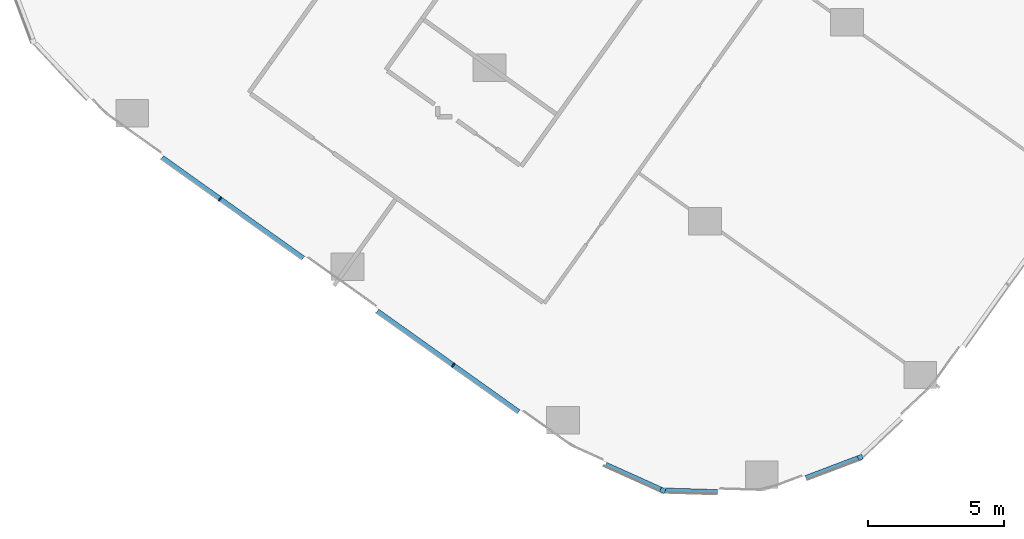
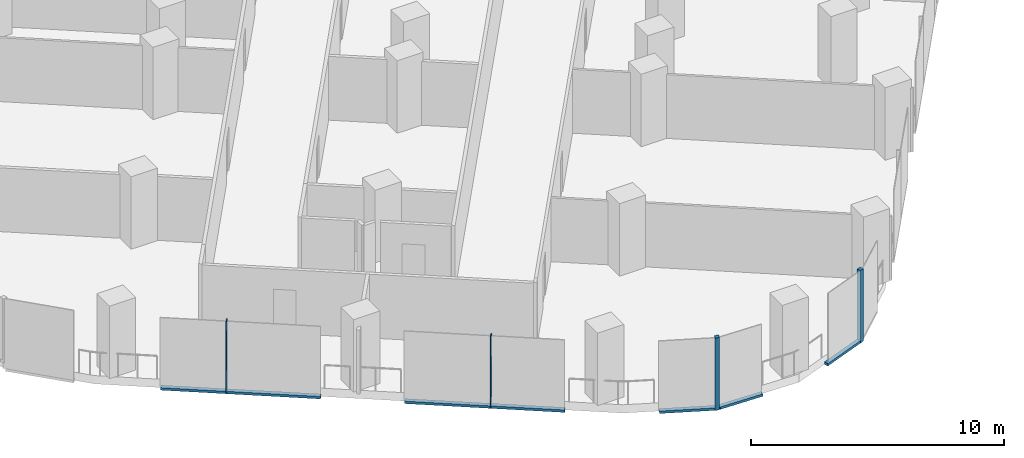
# One storey, part 2 of 30: 9 members, 4 elements without a shape of their own.
"""IFC4 building model written with IfcOpenShell, lengths in metres."""

from ifc_helpers import new_model, si_unit, direction, frame, origin, origin_2d, place, context, subcontext, project, spatial, rectangle, extrude, material, material_profile, profile_set, type_object, element, aggregate, save


model = new_model("IFC4")

# Units and contexts
model_context = context("Model", 3, precision=1e-05, world=origin(), true_north=direction((0.0, 1.0)))
body_context = subcontext(model_context, "Body", "Model", "MODEL_VIEW")
ifc_project = project(units=[si_unit("LENGTHUNIT", "METRE"), si_unit("AREAUNIT", "SQUARE_METRE"), si_unit("VOLUMEUNIT", "CUBIC_METRE"), si_unit("PLANEANGLEUNIT", "RADIAN"), si_unit("MASSUNIT", "GRAM", prefix="KILO")], contexts=[model_context])

# Site, building, storey
site_placement = place(None, origin())
site = spatial("IfcSite", under=ifc_project, at=site_placement, CompositionType="ELEMENT")
building_placement = place(site_placement, origin())
building = spatial("IfcBuilding", under=site, at=building_placement, Name="Orlundy Tower", CompositionType="ELEMENT")
storey_placement = place(building_placement, frame((0.0, 0.0, 80.699951171875)))
storey = spatial("IfcBuildingStorey", under=building, at=storey_placement, Name="L19", CompositionType="ELEMENT", Elevation=80.699951171875)

# Curtain wall, member
ifc_material_1 = material(Name="Aluminium bronze anodised", Category="aluminium")
curtain_wall_type = type_object("IfcCurtainWallType", Name="CW1 wall", PredefinedType="NOTDEFINED", material=ifc_material_1)
curtain_wall_1_placement = place(storey_placement, origin())
curtain_wall_1 = element("IfcCurtainWall", 1, at=curtain_wall_1_placement, inside=storey, type_object=curtain_wall_type, Name="CW1 run 020", PredefinedType="NOTDEFINED")
ifc_material_2 = material(Name="Aluminium bronze anodised", Category="aluminium")
ifc_material_profile_1 = material_profile(ifc_material_2, rectangle(XDim=0.179931640625, YDim=0.179931640625, at=origin_2d()), Name="CW1 corner post 180x180")
ifc_profile_set_1 = profile_set([ifc_material_profile_1], Name="Aluminium bronze anodised")
member_type_1 = type_object("IfcMemberType", Name="CW1 corner post 180x180", PredefinedType="MULLION", material=ifc_profile_set_1)
member_1_placement = place(storey_placement, frame((-15.984375, -55.751708984375, -0.39990234375), z_axis=(0.0, 0.0, 1.0), x_axis=(0.354166301715, -0.935182458523, 0.0)))
member_1 = element("IfcMember", 2, at=member_1_placement, type_object=member_type_1, Name="CW1 mullion 58", PredefinedType="MULLION", context=body_context, shape_type="SweptSolid", body=[
    extrude(rectangle(XDim=0.179931640625, YDim=0.179931640625, at=origin_2d()), origin(), (0.0, 0.0, 1.0), 3.5),
])

curtain_wall_2_placement = place(storey_placement, origin())
curtain_wall_2 = element("IfcCurtainWall", 3, at=curtain_wall_2_placement, inside=storey, type_object=curtain_wall_type, Name="CW1 run 022", PredefinedType="NOTDEFINED")
member_2_placement = place(storey_placement, frame((-23.2255859375, -56.96337890625, -0.39990234375), z_axis=(0.0, 0.0, 1.0), x_axis=(-0.410914311157, -0.911673970719, 0.0)))
member_2 = element("IfcMember", 4, at=member_2_placement, type_object=member_type_1, Name="CW1 mullion 60", PredefinedType="MULLION", context=body_context, shape_type="SweptSolid", body=[
    extrude(rectangle(XDim=0.179931640625, YDim=0.179931640625, at=origin_2d()), origin(), (0.0, 0.0, 1.0), 3.5),
])

# Curtain wall, members
curtain_wall_3_placement = place(storey_placement, origin())
curtain_wall_3 = element("IfcCurtainWall", 5, at=curtain_wall_3_placement, inside=storey, type_object=curtain_wall_type, Name="CW1 run 023", PredefinedType="NOTDEFINED")
ifc_material_3 = material(Name="Aluminium bronze anodised", Category="aluminium")
ifc_material_profile_2 = material_profile(ifc_material_3, rectangle(XDim=0.179931640625, YDim=0.050048828125, at=origin_2d()), Name="CW1 mullion 50x180")
ifc_profile_set_2 = profile_set([ifc_material_profile_2], Name="Aluminium bronze anodised")
member_type_2 = type_object("IfcMemberType", Name="CW1 mullion 50x180", PredefinedType="MULLION", material=ifc_profile_set_2)
member_3_placement = place(storey_placement, frame((-30.910400390625, -52.375732421875, -0.39990234375), z_axis=(0.0, 0.0, 1.0), x_axis=(-0.580665978686, -0.814141892545, 0.0)))
member_3 = element("IfcMember", 6, at=member_3_placement, type_object=member_type_2, Name="CW1 mullion 62", PredefinedType="MULLION", context=body_context, shape_type="SweptSolid", body=[
    extrude(rectangle(XDim=0.179931640625, YDim=0.050048828125, at=origin_2d()), origin(), (0.0, 0.0, 1.0), 3.5),
])
member_4_placement = place(storey_placement, frame((-39.458984375, -46.27880859375, -0.39990234375), z_axis=(0.0, 0.0, 1.0), x_axis=(-0.580665978686, -0.814141892545, 0.0)))
member_4 = element("IfcMember", 7, at=member_4_placement, type_object=member_type_2, Name="CW1 mullion 64", PredefinedType="MULLION", context=body_context, shape_type="SweptSolid", body=[
    extrude(rectangle(XDim=0.179931640625, YDim=0.050048828125, at=origin_2d()), origin(), (0.0, 0.0, 1.0), 3.5),
])

# Member
ifc_material_4 = material(Name="Aluminium bronze anodised", Category="aluminium")
ifc_material_profile_3 = material_profile(ifc_material_4, rectangle(XDim=0.179931640625, YDim=0.1201171875, at=origin_2d()), Name="CW1 transom 180x120")
ifc_profile_set_3 = profile_set([ifc_material_profile_3], Name="Aluminium bronze anodised")
member_type_3 = type_object("IfcMemberType", Name="CW1 transom 180x120", PredefinedType="USERDEFINED", material=ifc_profile_set_3)
member_5_placement = place(storey_placement, frame((-16.068603515625, -55.78369140625, -0.33984375), z_axis=(-0.935180427279, -0.354171665204, 0.0), x_axis=(0.354171665204, -0.935180427279, 0.0)))
member_5 = element("IfcMember", 8, at=member_5_placement, type_object=member_type_3, Name="CW1 transom", ObjectType="TRANSOM", PredefinedType="USERDEFINED", context=body_context, shape_type="SweptSolid", body=[
    extrude(rectangle(XDim=0.179931640625, YDim=0.1201171875, at=origin_2d()), origin(), (0.0, 0.0, 1.0), 2.0439453125),
])

aggregate(curtain_wall_1, [member_1, member_5])

# Curtain wall, member
curtain_wall_4_placement = place(storey_placement, origin())
curtain_wall_4 = element("IfcCurtainWall", 9, at=curtain_wall_4_placement, inside=storey, type_object=curtain_wall_type, Name="CW1 run 021", PredefinedType="NOTDEFINED")
member_6_placement = place(storey_placement, frame((-21.218017578125, -57.024658203125, -0.33984375), z_axis=(-0.999533765598, 0.030532792686, 0.0), x_axis=(-0.030532792686, -0.999533765598, 0.0)))
member_6 = element("IfcMember", 10, at=member_6_placement, type_object=member_type_3, Name="CW1 transom", ObjectType="TRANSOM", PredefinedType="USERDEFINED", context=body_context, shape_type="SweptSolid", body=[
    extrude(rectangle(XDim=0.179931640625, YDim=0.1201171875, at=origin_2d()), origin(), (0.0, 0.0, 1.0), 1.9111328125),
])
aggregate(curtain_wall_4, [member_6])

# Member
member_7_placement = place(storey_placement, frame((-23.3076171875, -56.926513671875, -0.33984375), z_axis=(-0.911678749828, 0.410903707835, 0.0), x_axis=(-0.410903707835, -0.911678749828, 0.0)))
member_7 = element("IfcMember", 11, at=member_7_placement, type_object=member_type_3, Name="CW1 transom", ObjectType="TRANSOM", PredefinedType="USERDEFINED", context=body_context, shape_type="SweptSolid", body=[
    extrude(rectangle(XDim=0.179931640625, YDim=0.1201171875, at=origin_2d()), origin(), (0.0, 0.0, 1.0), 2.203125),
])

aggregate(curtain_wall_2, [member_2, member_7])

member_8_placement = place(storey_placement, frame((-28.51025390625, -54.087646484375, -0.33984375), z_axis=(-0.814132289242, 0.580679443078, 0.0), x_axis=(-0.580679443078, -0.814132289242, 0.0)))
member_8 = element("IfcMember", 12, at=member_8_placement, type_object=member_type_3, Name="CW1 transom", ObjectType="TRANSOM", PredefinedType="USERDEFINED", context=body_context, shape_type="SweptSolid", body=[
    extrude(rectangle(XDim=0.179931640625, YDim=0.1201171875, at=origin_2d()), origin(), (0.0, 0.0, 1.0), 6.36669921875),
])

member_9_placement = place(storey_placement, frame((-36.40869140625, -48.454345703125, -0.33984375), z_axis=(-0.814148296682, 0.580656999449, 0.0), x_axis=(-0.580656999449, -0.814148296682, 0.0)))
member_9 = element("IfcMember", 13, at=member_9_placement, type_object=member_type_3, Name="CW1 transom", ObjectType="TRANSOM", PredefinedType="USERDEFINED", context=body_context, shape_type="SweptSolid", body=[
    extrude(rectangle(XDim=0.179931640625, YDim=0.1201171875, at=origin_2d()), origin(), (0.0, 0.0, 1.0), 6.359375),
])

aggregate(curtain_wall_3, [member_3, member_4, member_8, member_9])

save(model, "model.ifc")
